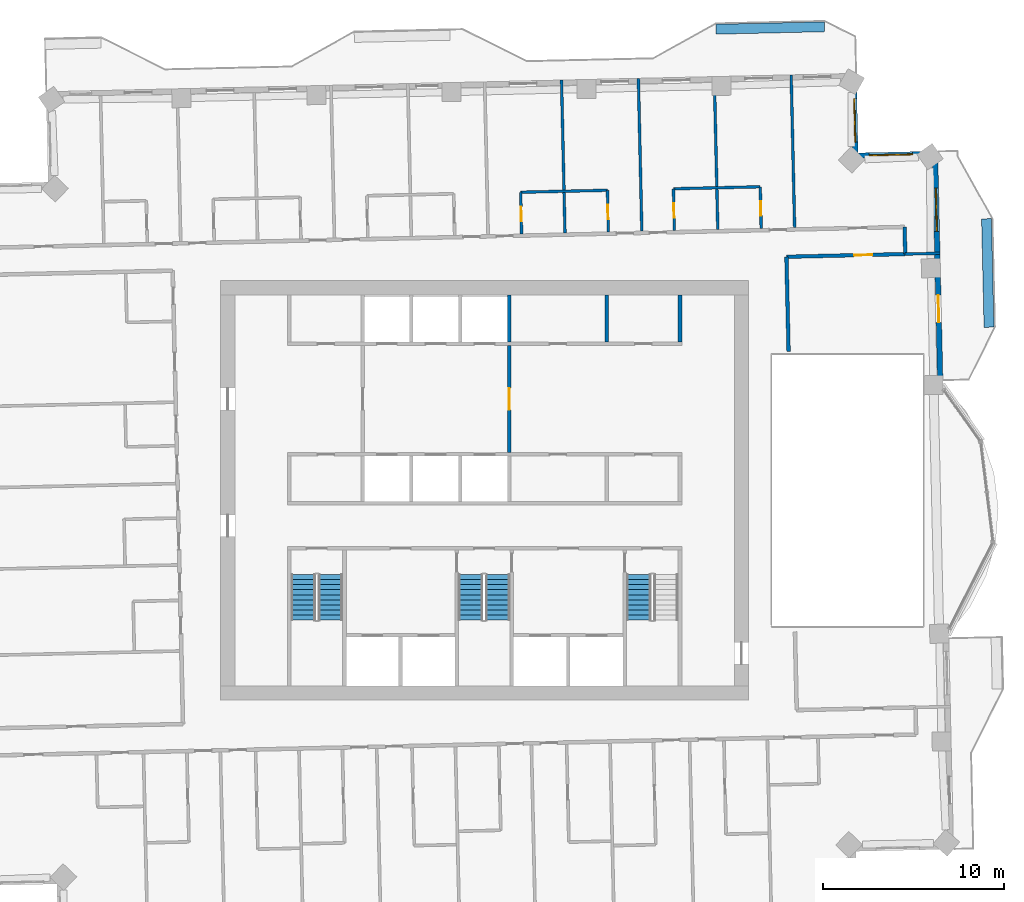
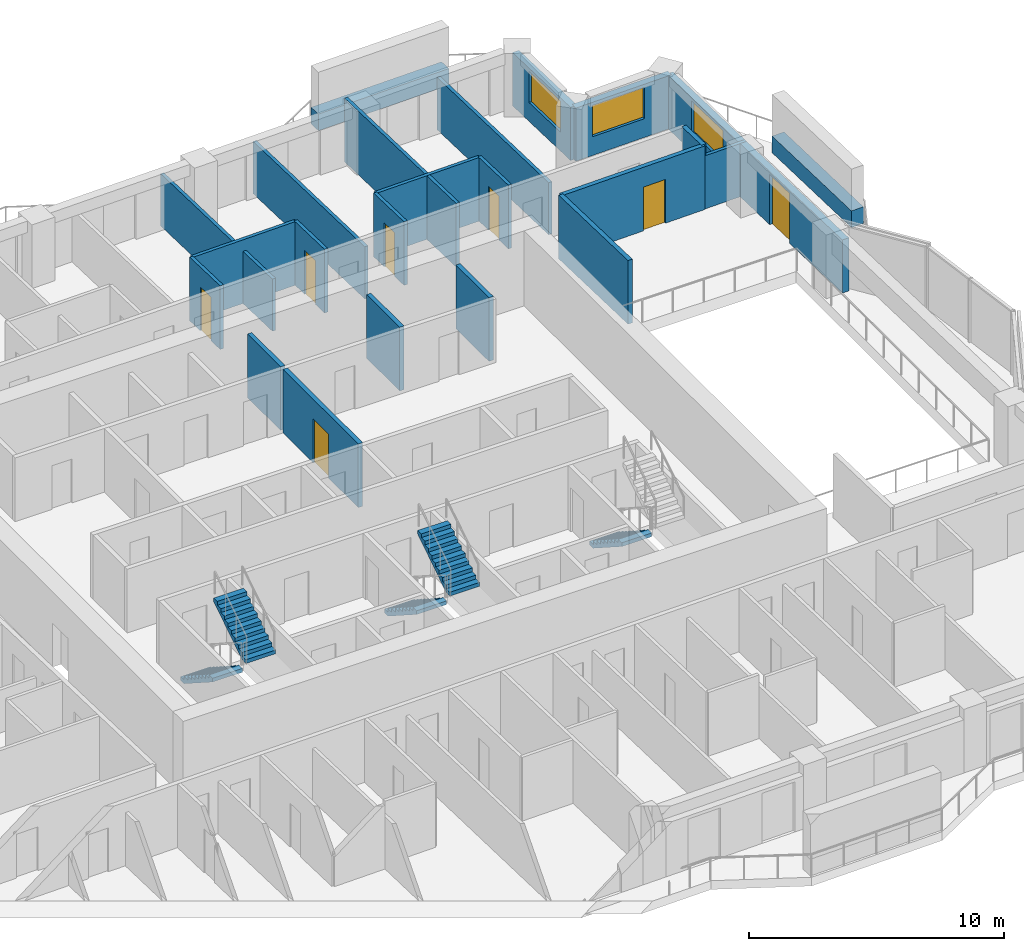
# One storey, part 12 of 17: 23 walls, 7 doors, 5 stair flights, 3 windows, 10 openings, 3 elements without a shape of their own.
"""IFC4 building model written with IfcOpenShell, lengths in metres."""

import ifcopenshell
import ifcopenshell.guid

model = None  # the IFC model being written
_history = None  # IfcOwnerHistory: only IFC2X3 demands one
_inside = {}  # id of a spatial element -> (the spatial element, [elements in it])
_under = {}  # id of a project, library or spatial element -> (it, [spatial elements below it])
_declared = {}  # id of a project -> (the project, [libraries it declares])
_typed = {}  # id of a type object -> (the type object, [elements of that type])
_made_of = {}  # id of a material, layer set ... -> (it, [elements and type objects made of it])


def new_model(schema):
    """Start an empty IFC model of exactly this schema.

    Asked for "IFC4X3", IfcOpenShell would pick the latest addendum, in which some entities
    have other attributes; the version numbers below select the first issue.
    IFC2X3 requires an IfcOwnerHistory on every rooted entity: one is made here for all.
    """
    global model, _history
    if schema == "IFC4X3":
        model = ifcopenshell.file(schema_version=(4, 3, 0, 0))
    else:
        model = ifcopenshell.file(schema=schema)
    _inside.clear()
    _under.clear()
    _declared.clear()
    _typed.clear()
    _made_of.clear()
    _history = None
    if model.schema == "IFC2X3":
        org = make("IfcOrganization", Name="unknown")
        user = make(
            "IfcPersonAndOrganization",
            ThePerson=make("IfcPerson", FamilyName="unknown"),
            TheOrganization=org,
        )
        app = make(
            "IfcApplication",
            ApplicationDeveloper=org,
            Version="unknown",
            ApplicationFullName="unknown",
            ApplicationIdentifier="unknown",
        )
        _history = make(
            "IfcOwnerHistory",
            OwningUser=user,
            OwningApplication=app,
            ChangeAction="ADDED",
            CreationDate=0,
        )
    return model


def make(cls, **values):
    """One entity of the class cls with the attributes given. An attribute that is None is left unset."""
    return model.create_entity(
        cls, **{name: value for name, value in values.items() if value is not None}
    )


def rooted(cls, **values):
    """An entity with a GlobalId (a new one), such as an element, a storey or a relation."""
    return make(cls, GlobalId=ifcopenshell.guid.new(), OwnerHistory=_history, **values)


def si_unit(unit_type, name, prefix=None):
    """IfcSIUnit, for example si_unit("LENGTHUNIT", "METRE", prefix="MILLI")."""
    return make("IfcSIUnit", UnitType=unit_type, Prefix=prefix, Name=name)


def assignment(units):
    """IfcUnitAssignment: the units of a project."""
    return None if units is None else make("IfcUnitAssignment", Units=units)


def point(xyz):
    """IfcCartesianPoint."""
    return None if xyz is None else make("IfcCartesianPoint", Coordinates=xyz)


def direction(xyz):
    """IfcDirection."""
    return None if xyz is None else make("IfcDirection", DirectionRatios=xyz)


def frame(location, z_axis=None, x_axis=None):
    """IfcAxis2Placement3D, a coordinate frame: its origin and axes. An axis left out is left unset."""
    return make(
        "IfcAxis2Placement3D",
        Location=point(location),
        Axis=direction(z_axis),
        RefDirection=direction(x_axis),
    )


def frame_2d(location, x_axis=None):
    """IfcAxis2Placement2D, a coordinate frame in the plane: its origin and x axis."""
    return make(
        "IfcAxis2Placement2D", Location=point(location), RefDirection=direction(x_axis)
    )


def origin():
    """The frame at (0, 0, 0) with its axes left unset."""
    return frame((0.0, 0.0, 0.0))


def place(relative_to, where):
    """IfcLocalPlacement: puts the frame where relative to a parent placement (None: the world)."""
    return make(
        "IfcLocalPlacement", PlacementRelTo=relative_to, RelativePlacement=where
    )


def context(
    kind, dimensions, precision=None, world=None, true_north=None, identifier=None
):
    """IfcGeometricRepresentationContext, for example the 3D "Model" context."""
    return make(
        "IfcGeometricRepresentationContext",
        ContextIdentifier=identifier,
        ContextType=kind,
        CoordinateSpaceDimension=dimensions,
        Precision=precision,
        WorldCoordinateSystem=world,
        TrueNorth=true_north,
    )


def subcontext(parent, identifier, kind, view, scale=None):
    """IfcGeometricRepresentationSubContext, for example "Body" below "Model"."""
    return make(
        "IfcGeometricRepresentationSubContext",
        ContextIdentifier=identifier,
        ContextType=kind,
        ParentContext=parent,
        TargetScale=scale,
        TargetView=view,
    )


def project(units=None, contexts=None):
    """IfcProject with its units and contexts."""
    return rooted(
        "IfcProject",
        Name="project",
        RepresentationContexts=contexts,
        UnitsInContext=assignment(units),
    )


def spatial(cls, under=None, at=None, **own):
    """A site, building, storey or space (cls), placed at a placement, below another one or the project."""
    s = rooted(cls, ObjectPlacement=at, **own)
    if under is not None:
        _under.setdefault(under.id(), (under, []))[1].append(s)
    return s


def polyline(points):
    """IfcPolyline through the points."""
    return make("IfcPolyline", Points=[point(p) for p in points])


def profile(cls, at=None, kind="AREA", **sizes):
    """A parametric profile (cls). Its sizes go by their IFC names, for example OverallWidth=200.0."""
    return make(cls, ProfileType=kind, Position=at, **sizes)


def rectangle(**sizes):
    """IfcRectangleProfileDef."""
    return profile("IfcRectangleProfileDef", **sizes)


def outline(outer, holes=None, kind="AREA"):
    """IfcArbitraryClosedProfileDef: a profile drawn as a closed curve; with holes, ...WithVoids."""
    if holes is None:
        return make("IfcArbitraryClosedProfileDef", ProfileType=kind, OuterCurve=outer)
    return make(
        "IfcArbitraryProfileDefWithVoids",
        ProfileType=kind,
        OuterCurve=outer,
        InnerCurves=holes,
    )


def extrude(swept, where, along, depth):
    """IfcExtrudedAreaSolid: the profile swept, set in the frame where, extruded along a direction by depth."""
    return make(
        "IfcExtrudedAreaSolid",
        SweptArea=swept,
        Position=where,
        ExtrudedDirection=direction(along),
        Depth=depth,
    )


def shape(context_of_items, identifier, shape_type, items):
    """IfcShapeRepresentation: the items that make up one representation, for example the "Body"."""
    return make(
        "IfcShapeRepresentation",
        ContextOfItems=context_of_items,
        RepresentationIdentifier=identifier,
        RepresentationType=shape_type,
        Items=items,
    )


def material(Name=None, Category=None):
    """IfcMaterial."""
    return make("IfcMaterial", Name=Name, Category=Category)


def layer(
    of_material, thickness, ventilated=None, Name=None, Category=None, Priority=None
):
    """IfcMaterialLayer: one layer of a wall or slab, of a material (None: an air gap)."""
    return make(
        "IfcMaterialLayer",
        Material=of_material,
        LayerThickness=thickness,
        IsVentilated=ventilated,
        Name=Name,
        Category=Category,
        Priority=Priority,
    )


def layer_set(layers, Name=None):
    """IfcMaterialLayerSet."""
    return make("IfcMaterialLayerSet", MaterialLayers=layers, LayerSetName=Name)


def made_of(thing, what):
    """Note that an element or type object is made of a material, layer set ...; save() writes the relation."""
    if what is not None:
        _made_of.setdefault(what.id(), (what, []))[1].append(thing)
    return thing


def type_object(cls, material=None, **own):
    """A type object (cls), such as IfcWallType, which elements share."""
    return made_of(rooted(cls, **own), material)


def element(
    cls,
    number,
    at=None,
    inside=None,
    cuts=None,
    type_object=None,
    material=None,
    context=None,
    identifier="Body",
    shape_type=None,
    held_by="IfcProductDefinitionShape",
    body=None,
    shapes=None,
    **own,
):
    """One element of the class cls, such as IfcWall. Its Tag is "e" and its number.

    at: its placement. inside: the storey or other place that contains it. cuts: it is an
    opening in that element (IfcRelVoidsElement). A single representation is given by context,
    identifier, shape_type and body (its items); several are given by shapes. held_by: the class
    of the entity that holds the representations. save() writes the other relations.
    """
    e = rooted(cls, Tag="e%d" % number, ObjectPlacement=at, **own)
    if body is not None:
        shapes = [shape(context, identifier, shape_type, body)]
    if shapes is not None:
        e.Representation = make(held_by, Representations=shapes)
    if inside is not None:
        _inside.setdefault(inside.id(), (inside, []))[1].append(e)
    if cuts is not None:
        rooted(
            "IfcRelVoidsElement", RelatingBuildingElement=cuts, RelatedOpeningElement=e
        )
    if type_object is not None:
        _typed.setdefault(type_object.id(), (type_object, []))[1].append(e)
    return made_of(e, material)


def fill(opening, filler):
    """IfcRelFillsElement: the door or window that sits in an opening."""
    return rooted(
        "IfcRelFillsElement",
        RelatingOpeningElement=opening,
        RelatedBuildingElement=filler,
    )


def aggregate(whole, parts):
    """IfcRelAggregates: a whole, such as a stair, and the parts it consists of."""
    return rooted("IfcRelAggregates", RelatingObject=whole, RelatedObjects=parts)


def save(model, path):
    """Write the relations noted so far, then the file.

    IfcRelAggregates (storeys below a building ...), IfcRelContainedInSpatialStructure (elements
    in a storey), IfcRelDefinesByType, IfcRelAssociatesMaterial and IfcRelDeclares: one each for
    every whole, place, type object, material and project.
    """
    for whole, parts in _under.values():
        aggregate(whole, parts)
    for where, things in _inside.values():
        rooted(
            "IfcRelContainedInSpatialStructure",
            RelatedElements=things,
            RelatingStructure=where,
        )
    for kind, things in _typed.values():
        rooted("IfcRelDefinesByType", RelatedObjects=things, RelatingType=kind)
    for what, things in _made_of.values():
        rooted("IfcRelAssociatesMaterial", RelatedObjects=things, RelatingMaterial=what)
    for by, libraries in _declared.values():
        rooted("IfcRelDeclares", RelatingContext=by, RelatedDefinitions=libraries)
    model.write(path)


model = new_model("IFC4")

# Units and contexts
model_context = context("Model", 3, precision=1e-05, world=origin(), true_north=direction((0.0, 1.0)))
body_context = subcontext(model_context, "Body", "Model", "MODEL_VIEW")
ifc_project = project(units=[si_unit("LENGTHUNIT", "METRE"), si_unit("AREAUNIT", "SQUARE_METRE"), si_unit("VOLUMEUNIT", "CUBIC_METRE"), si_unit("PLANEANGLEUNIT", "RADIAN"), si_unit("MASSUNIT", "GRAM", prefix="KILO")], contexts=[model_context])

# Site, building, storey
site_placement = place(None, origin())
site = spatial("IfcSite", under=ifc_project, at=site_placement, CompositionType="ELEMENT")
building_placement = place(site_placement, origin())
building = spatial("IfcBuilding", under=site, at=building_placement, Name="Mangrove Gate Tower", CompositionType="ELEMENT")
storey_placement = place(building_placement, frame((0.0, 0.0, 245.5)))
storey = spatial("IfcBuildingStorey", under=building, at=storey_placement, Name="L62", CompositionType="ELEMENT", Elevation=245.5)

# Wall, opening, door
ifc_material_1 = material(Name="Concrete C32/40", Category="concrete")
ifc_layer_1 = layer(ifc_material_1, 0.199951171875)
ifc_layer_set_1 = layer_set([ifc_layer_1], Name="Core lobby wall 200 C32/40")
wall_type_1 = type_object("IfcWallType", Name="Core lobby wall 200 C32/40", PredefinedType="STANDARD", material=ifc_layer_set_1)
wall_1_placement = place(storey_placement, frame((1.35009765625, 2.10009765625, 0.0), z_axis=(0.0, 0.0, 1.0), x_axis=(0.0, 1.0, 0.0)))
wall_1 = element("IfcWall", 1, at=wall_1_placement, inside=storey, type_object=wall_type_1, Name="WALL-L62-CORE-34", PredefinedType="STANDARD", context=body_context, shape_type="SweptSolid", body=[
    extrude(rectangle(XDim=5.89990234375, YDim=0.199951171875, at=frame_2d((2.949951171875, 0.0))), origin(), (0.0, 0.0, 1.0), 3.050048828125),
])
opening_1_placement = place(wall_1_placement, frame((2.35009765625, 0.0, 0.0)))
opening_1 = element("IfcOpeningElement", 2, at=opening_1_placement, cuts=wall_1, Name="Opening FL12", PredefinedType="OPENING", context=body_context, shape_type="SweptSolid", body=[
    extrude(rectangle(XDim=1.199951171875, YDim=2.10009765625, at=frame_2d((0.60009765625, 1.050048828125))), frame((0.0, 0.10986328125, 0.0), z_axis=(0.0, -1.0, 0.0), x_axis=(1.0, 0.0, 0.0)), (0.0, 0.0, 1.0), 0.219970703125),
])
ifc_material_2 = material(Name="Fire-rated steel door set", Category="steel")
door_type_1 = type_object("IfcDoorType", Name="Lobby door FD60 1200x2100", OperationType="SINGLE_SWING_LEFT", PredefinedType="DOOR", material=ifc_material_2)
door_1_placement = place(opening_1_placement, origin())
door_1 = element("IfcDoor", 3, at=door_1_placement, inside=storey, type_object=door_type_1, Name="Lobby door lift lobby partition", OperationType="SINGLE_SWING_LEFT", OverallHeight=2.10009765625, OverallWidth=1.199951171875, PredefinedType="DOOR", context=body_context, shape_type="SweptSolid", body=[
    extrude(rectangle(XDim=1.199951171875, YDim=2.10009765625, at=frame_2d((0.60009765625, 1.050048828125))), frame((0.0, 0.02490234375, 0.0), z_axis=(0.0, -1.0, 0.0), x_axis=(1.0, 0.0, 0.0)), (0.0, 0.0, 1.0), 0.050048828125),
])
fill(opening_1, door_1)

# Walls
ifc_material_3 = material(Name="Concrete C32/40", Category="concrete")
ifc_layer_2 = layer(ifc_material_3, 0.199951171875)
ifc_layer_set_2 = layer_set([ifc_layer_2], Name="Core room wall 200 C32/40")
wall_type_2 = type_object("IfcWallType", Name="Core room wall 200 C32/40", PredefinedType="STANDARD", material=ifc_layer_set_2)
for number, where, z_axis, x_axis, name in (
    (4, (6.75, 8.199951171875, 0.0), (0.0, 0.0, 1.0), (0.0, 1.0, 0.0), "WALL-L62-CORE-31"),
    (5, (10.800048828125, 8.199951171875, 0.0), (0.0, 0.0, 1.0), (0.0, 1.0, 0.0), "WALL-L62-CORE-32"),
):
    element("IfcWall", number, at=place(storey_placement, frame(where, z_axis=z_axis, x_axis=x_axis)), inside=storey, type_object=wall_type_2, Name=name, PredefinedType="STANDARD", context=body_context, shape_type="SweptSolid", body=[
        extrude(rectangle(XDim=2.60009765625, YDim=0.199951171875, at=frame_2d((1.300048828125, 0.0))), origin(), (0.0, 0.0, 1.0), 3.050048828125),
    ])
ifc_material_4 = material(Name="Concrete C60/75", Category="concrete")
ifc_layer_3 = layer(ifc_material_4, 0.199951171875)
ifc_layer_set_3 = layer_set([ifc_layer_3], Name="Core shaft wall 200 C60/75")
wall_type_3 = type_object("IfcWallType", Name="Core shaft wall 200 C60/75", PredefinedType="SHEAR", material=ifc_layer_set_3)
wall_2_placement = place(storey_placement, frame((1.35009765625, 8.199951171875, 0.0), z_axis=(0.0, 0.0, 1.0), x_axis=(0.0, 1.0, 0.0)))
element("IfcWall", 6, at=wall_2_placement, inside=storey, type_object=wall_type_3, Name="WALL-L62-CORE-30", PredefinedType="SHEAR", context=body_context, shape_type="SweptSolid", body=[
    extrude(rectangle(XDim=2.60009765625, YDim=0.199951171875, at=frame_2d((1.300048828125, 0.0))), origin(), (0.0, 0.0, 1.0), 3.050048828125),
])
ifc_material_5 = material(Name="Gypsum board on steel stud, EI 60", Category="steel")
ifc_layer_4 = layer(ifc_material_5, 0.199951171875)
ifc_layer_set_4 = layer_set([ifc_layer_4], Name="Corridor wall EI 60")
wall_type_4 = type_object("IfcWallType", Name="Corridor wall EI 60", PredefinedType="PARTITIONING", material=ifc_layer_set_4)
wall_3_placement = place(storey_placement, frame((16.802978515625, 7.675048828125, 0.0), z_axis=(0.0, 0.0, 1.0), x_axis=(-0.022667483124, 0.999743059595, 0.0)))
element("IfcWall", 7, at=wall_3_placement, inside=storey, type_object=wall_type_4, Name="WALL-L62-049", PredefinedType="PARTITIONING", context=body_context, shape_type="SweptSolid", body=[
    extrude(rectangle(XDim=5.245361328125, YDim=0.199951171875, at=frame_2d((2.62255859375, 0.0))), origin(), (0.0, 0.0, 1.0), 3.050048828125),
])

# Wall, opening, door
wall_4_placement = place(storey_placement, frame((16.678955078125, 12.91796875, 0.0), z_axis=(0.0, 0.0, 1.0), x_axis=(0.999739125025, 0.022840356696, 0.0)))
wall_4 = element("IfcWall", 8, at=wall_4_placement, inside=storey, type_object=wall_type_4, Name="WALL-L62-055", PredefinedType="PARTITIONING", context=body_context, shape_type="SweptSolid", body=[
    extrude(rectangle(XDim=6.57373046875, YDim=0.199951171875, at=frame_2d((3.286865234375, 0.0))), origin(), (0.0, 0.0, 1.0), 3.050048828125),
])
opening_2_placement = place(wall_4_placement, frame((3.75, 0.0, 0.0)))
opening_2 = element("IfcOpeningElement", 9, at=opening_2_placement, cuts=wall_4, Name="Opening AD", PredefinedType="OPENING", context=body_context, shape_type="SweptSolid", body=[
    extrude(rectangle(XDim=1.0, YDim=2.10009765625, at=frame_2d((0.5, 1.050048828125))), frame((0.0, 0.10986328125, 0.0), z_axis=(0.0, -1.0, 0.0), x_axis=(1.0, 0.0, 0.0)), (0.0, 0.0, 1.0), 0.219970703125),
])
ifc_material_6 = material(Name="Timber door leaf", Category="wood")
door_type_2 = type_object("IfcDoorType", Name="Amenity door 1000", OperationType="SINGLE_SWING_LEFT", PredefinedType="DOOR", material=ifc_material_6)
door_2_placement = place(opening_2_placement, origin())
door_2 = element("IfcDoor", 10, at=door_2_placement, inside=storey, type_object=door_type_2, Name="DOOR-L62-GAM-c3a", OperationType="SINGLE_SWING_RIGHT", OverallHeight=2.10009765625, OverallWidth=1.0, PredefinedType="DOOR", context=body_context, shape_type="SweptSolid", body=[
    extrude(rectangle(XDim=1.0, YDim=2.10009765625, at=frame_2d((0.5, 1.050048828125))), frame((0.0, 0.02490234375, 0.0), z_axis=(0.0, -1.0, 0.0), x_axis=(1.0, 0.0, 0.0)), (0.0, 0.0, 1.0), 0.050048828125),
])
fill(opening_2, door_2)

# Wall
wall_5_placement = place(storey_placement, frame((23.251953125, 13.068115234375, 0.0), z_axis=(0.0, 0.0, 1.0), x_axis=(-0.022636322434, 0.999743765625, 0.0)))
element("IfcWall", 11, at=wall_5_placement, inside=storey, type_object=wall_type_4, Name="WALL-L62-057", PredefinedType="PARTITIONING", context=body_context, shape_type="SweptSolid", body=[
    extrude(rectangle(XDim=1.499267578125, YDim=0.199951171875, at=frame_2d((0.74951171875, 0.0))), origin(), (0.0, 0.0, 1.0), 3.050048828125),
])

# Wall, openings, door, window
ifc_material_7 = material(Name="Limestone", Category="masonry")
ifc_layer_5 = layer(ifc_material_7, 0.0400390625, Name="Limestone cladding")
ifc_material_8 = material(Name="Ventilated air gap")
ifc_layer_6 = layer(ifc_material_8, 0.0400390625, Name="Ventilated cavity")
ifc_material_9 = material(Name="Mineral wool insulation")
ifc_layer_7 = layer(ifc_material_9, 0.06005859375, Name="Insulation")
ifc_material_10 = material(Name="Breather membrane")
ifc_layer_8 = layer(ifc_material_10, 0.001953125, Name="Breather membrane")
ifc_material_11 = material(Name="Concrete C20/25 blockwork", Category="masonry")
ifc_layer_9 = layer(ifc_material_11, 0.14990234375, Name="Blockwork backing wall")
ifc_material_12 = material(Name="Gypsum plaster")
ifc_layer_10 = layer(ifc_material_12, 0.008056640625, Name="Internal plaster")
ifc_layer_set_5 = layer_set([ifc_layer_5, ifc_layer_6, ifc_layer_7, ifc_layer_8, ifc_layer_9, ifc_layer_10], Name="External wall 300 limestone cladding")
wall_type_5 = type_object("IfcWallType", Name="External wall 300 limestone cladding", PredefinedType="SOLIDWALL", material=ifc_layer_set_5)
wall_6_placement = place(storey_placement, frame((25.202880859375, 5.31005859375, 0.0), z_axis=(0.0, 0.0, 1.0), x_axis=(-0.022708061432, 0.999742138727, 0.0)))
wall_6 = element("IfcWall", 12, at=wall_6_placement, inside=storey, type_object=wall_type_5, Name="WALL-L62-E2s1", PredefinedType="SOLIDWALL", context=body_context, shape_type="SweptSolid", body=[
    extrude(rectangle(XDim=13.29931640625, YDim=0.300048828125, at=frame_2d((6.649658203125, 0.0))), origin(), (0.0, 0.0, 1.0), 2.550048828125),
])
opening_3_placement = place(wall_6_placement, frame((3.986083984375, 0.0, 0.0)))
opening_3 = element("IfcOpeningElement", 13, at=opening_3_placement, cuts=wall_6, Name="Opening BD1", PredefinedType="OPENING", context=body_context, shape_type="SweptSolid", body=[
    extrude(rectangle(XDim=1.5, YDim=2.39990234375, at=frame_2d((0.75, 1.199951171875))), frame((0.0, 0.159912109375, 0.0), z_axis=(0.0, -1.0, 0.0), x_axis=(1.0, 0.0, 0.0)), (0.0, 0.0, 1.0), 0.320068359375),
])
opening_4_placement = place(wall_6_placement, frame((9.012939453125, 0.0, 0.89990234375)))
opening_4 = element("IfcOpeningElement", 14, at=opening_4_placement, cuts=wall_6, Name="Opening W2", PredefinedType="OPENING", context=body_context, shape_type="SweptSolid", body=[
    extrude(rectangle(XDim=2.39990234375, YDim=1.5, at=frame_2d((1.199951171875, 0.75))), frame((0.0, 0.159912109375, 0.0), z_axis=(0.0, -1.0, 0.0), x_axis=(1.0, 0.0, 0.0)), (0.0, 0.0, 1.0), 0.320068359375),
])
ifc_material_13 = material(Name="Aluminium frame with laminated clear glass", Category="aluminium")
door_type_3 = type_object("IfcDoorType", Name="Balcony sliding door 1500x2400", OperationType="SLIDING_TO_LEFT", PredefinedType="DOOR", material=ifc_material_13)
door_3_placement = place(opening_3_placement, origin())
door_3 = element("IfcDoor", 15, at=door_3_placement, inside=storey, type_object=door_type_3, Name="DOOR-L62-E2-1", OperationType="SLIDING_TO_LEFT", OverallHeight=2.39990234375, OverallWidth=1.5, PredefinedType="DOOR", context=body_context, shape_type="SweptSolid", body=[
    extrude(rectangle(XDim=1.5, YDim=2.39990234375, at=frame_2d((0.75, 1.199951171875))), frame((0.0, 0.02490234375, 0.0), z_axis=(0.0, -1.0, 0.0), x_axis=(1.0, 0.0, 0.0)), (0.0, 0.0, 1.0), 0.050048828125),
])
fill(opening_3, door_3)
ifc_material_14 = material(Name="Aluminium frame with double-glazed low-e glass", Category="aluminium")
window_type = type_object("IfcWindowType", Name="Corner room window 2400x1500", PartitioningType="DOUBLE_PANEL_VERTICAL", PredefinedType="WINDOW", material=ifc_material_14)
window_1_placement = place(opening_4_placement, origin())
window_1 = element("IfcWindow", 16, at=window_1_placement, inside=storey, type_object=window_type, Name="WIN-L62-E2-2", OverallHeight=1.5, OverallWidth=2.39990234375, PartitioningType="DOUBLE_PANEL_VERTICAL", PredefinedType="WINDOW", context=body_context, shape_type="SweptSolid", body=[
    extrude(rectangle(XDim=2.39990234375, YDim=1.5, at=frame_2d((1.199951171875, 0.75))), frame((0.0, 0.030029296875, 0.0), z_axis=(0.0, -1.0, 0.0), x_axis=(1.0, 0.0, 0.0)), (0.0, 0.0, 1.0), 0.06005859375),
])
fill(opening_4, window_1)

# Wall, opening, window
wall_7_placement = place(storey_placement, frame((24.90087890625, 18.60595703125, 0.0), z_axis=(0.0, 0.0, 1.0), x_axis=(-0.999747476176, -0.022471846368, 0.0)))
wall_7 = element("IfcWall", 17, at=wall_7_placement, inside=storey, type_object=wall_type_5, Name="WALL-L62-N3", PredefinedType="SOLIDWALL", context=body_context, shape_type="SweptSolid", body=[
    extrude(rectangle(XDim=4.400146484375, YDim=0.300048828125, at=frame_2d((2.2001953125, 0.0))), origin(), (0.0, 0.0, 1.0), 2.550048828125),
])
opening_5_placement = place(wall_7_placement, frame((1.24609375, 0.0, 0.89990234375)))
opening_5 = element("IfcOpeningElement", 18, at=opening_5_placement, cuts=wall_7, Name="Opening W2", PredefinedType="OPENING", context=body_context, shape_type="SweptSolid", body=[
    extrude(rectangle(XDim=2.39990234375, YDim=1.5, at=frame_2d((1.199951171875, 0.75))), frame((0.0, 0.159912109375, 0.0), z_axis=(0.0, -1.0, 0.0), x_axis=(1.0, 0.0, 0.0)), (0.0, 0.0, 1.0), 0.320068359375),
])
window_2_placement = place(opening_5_placement, origin())
window_2 = element("IfcWindow", 19, at=window_2_placement, inside=storey, type_object=window_type, Name="WIN-L62-N3-1", OverallHeight=1.5, OverallWidth=2.39990234375, PartitioningType="DOUBLE_PANEL_VERTICAL", PredefinedType="WINDOW", context=body_context, shape_type="SweptSolid", body=[
    extrude(rectangle(XDim=2.39990234375, YDim=1.5, at=frame_2d((1.199951171875, 0.75))), frame((0.0, 0.030029296875, 0.0), z_axis=(0.0, -1.0, 0.0), x_axis=(1.0, 0.0, 0.0)), (0.0, 0.0, 1.0), 0.06005859375),
])
fill(opening_5, window_2)

wall_8_placement = place(storey_placement, frame((20.501953125, 18.507080078125, 0.0), z_axis=(0.0, 0.0, 1.0), x_axis=(-0.02247683371, 0.999747364061, 0.0)))
wall_8 = element("IfcWall", 20, at=wall_8_placement, inside=storey, type_object=wall_type_5, Name="WALL-L62-E4", PredefinedType="SOLIDWALL", context=body_context, shape_type="SweptSolid", body=[
    extrude(rectangle(XDim=4.399169921875, YDim=0.300048828125, at=frame_2d((2.19970703125, 0.0))), origin(), (0.0, 0.0, 1.0), 2.550048828125),
])
opening_6_placement = place(wall_8_placement, frame((0.75, 0.0, 0.89990234375)))
opening_6 = element("IfcOpeningElement", 21, at=opening_6_placement, cuts=wall_8, Name="Opening W2", PredefinedType="OPENING", context=body_context, shape_type="SweptSolid", body=[
    extrude(rectangle(XDim=2.39990234375, YDim=1.5, at=frame_2d((1.199951171875, 0.75))), frame((0.0, 0.159912109375, 0.0), z_axis=(0.0, -1.0, 0.0), x_axis=(1.0, 0.0, 0.0)), (0.0, 0.0, 1.0), 0.320068359375),
])
window_3_placement = place(opening_6_placement, origin())
window_3 = element("IfcWindow", 22, at=window_3_placement, inside=storey, type_object=window_type, Name="WIN-L62-E4-1", OverallHeight=1.5, OverallWidth=2.39990234375, PartitioningType="DOUBLE_PANEL_VERTICAL", PredefinedType="WINDOW", context=body_context, shape_type="SweptSolid", body=[
    extrude(rectangle(XDim=2.39990234375, YDim=1.5, at=frame_2d((1.199951171875, 0.75))), frame((0.0, 0.030029296875, 0.0), z_axis=(0.0, -1.0, 0.0), x_axis=(1.0, 0.0, 0.0)), (0.0, 0.0, 1.0), 0.06005859375),
])
fill(opening_6, window_3)

# Wall
ifc_material_15 = material(Name="Gypsum board on steel stud, EI 60", Category="steel")
ifc_layer_11 = layer(ifc_material_15, 0.14990234375)
ifc_layer_set_6 = layer_set([ifc_layer_11], Name="Party wall 150 EI 60")
wall_type_6 = type_object("IfcWallType", Name="Party wall 150 EI 60", PredefinedType="PARTITIONING", material=ifc_layer_set_6)
wall_9_placement = place(storey_placement, frame((23.2509765625, 13.068115234375, 0.0), z_axis=(0.0, 0.0, 1.0), x_axis=(0.999750982596, 0.022315304114, 0.0)))
element("IfcWall", 23, at=wall_9_placement, inside=storey, type_object=wall_type_6, Name="WALL-L62-056", PredefinedType="PARTITIONING", context=body_context, shape_type="SweptSolid", body=[
    extrude(rectangle(XDim=1.925537109375, YDim=0.14990234375, at=frame_2d((0.962890625, 0.0))), origin(), (0.0, 0.0, 1.0), 2.550048828125),
])

# Wall, opening, door
wall_10_placement = place(storey_placement, frame((2.0419921875, 14.18701171875, 0.0), z_axis=(0.0, 0.0, 1.0), x_axis=(-0.023037316498, 0.999734605807, 0.0)))
wall_10 = element("IfcWall", 24, at=wall_10_placement, inside=storey, type_object=wall_type_6, Name="WALL-L62-070", PredefinedType="PARTITIONING", context=body_context, shape_type="SweptSolid", body=[
    extrude(rectangle(XDim=2.299560546875, YDim=0.14990234375, at=frame_2d((1.14990234375, 0.0))), origin(), (0.0, 0.0, 1.0), 3.050048828125),
])
opening_7_placement = place(wall_10_placement, frame((0.699951171875, 0.0, 0.0)))
opening_7 = element("IfcOpeningElement", 25, at=opening_7_placement, cuts=wall_10, Name="Opening ED", PredefinedType="OPENING", context=body_context, shape_type="SweptSolid", body=[
    extrude(rectangle(XDim=0.800048828125, YDim=2.10009765625, at=frame_2d((0.39990234375, 1.050048828125))), frame((0.0, 0.0849609375, 0.0), z_axis=(0.0, -1.0, 0.0), x_axis=(1.0, 0.0, 0.0)), (0.0, 0.0, 1.0), 0.169921875),
])
ifc_material_16 = material(Name="Timber door leaf", Category="wood")
door_type_4 = type_object("IfcDoorType", Name="En-suite door 800", OperationType="SINGLE_SWING_LEFT", PredefinedType="DOOR", material=ifc_material_16)
door_4_placement = place(opening_7_placement, origin())
door_4 = element("IfcDoor", 26, at=door_4_placement, inside=storey, type_object=door_type_4, Name="DOOR-L62-ENS-c412", OperationType="SINGLE_SWING_RIGHT", OverallHeight=2.10009765625, OverallWidth=0.800048828125, PredefinedType="DOOR", context=body_context, shape_type="SweptSolid", body=[
    extrude(rectangle(XDim=0.800048828125, YDim=2.10009765625, at=frame_2d((0.39990234375, 1.050048828125))), frame((0.0, 0.02490234375, 0.0), z_axis=(0.0, -1.0, 0.0), x_axis=(1.0, 0.0, 0.0)), (0.0, 0.0, 1.0), 0.050048828125),
])
fill(opening_7, door_4)

# Wall
wall_11_placement = place(storey_placement, frame((4.44091796875, 14.240966796875, 0.0), z_axis=(0.0, 0.0, 1.0), x_axis=(-0.022708935798, 0.999742118866, 0.0)))
element("IfcWall", 27, at=wall_11_placement, inside=storey, type_object=wall_type_6, Name="WALL-L62-071", PredefinedType="PARTITIONING", context=body_context, shape_type="SweptSolid", body=[
    extrude(rectangle(XDim=8.4501953125, YDim=0.14990234375, at=frame_2d((4.22509765625, 0.0))), origin(), (0.0, 0.0, 1.0), 2.5),
])

# Wall, opening, door
wall_12_placement = place(storey_placement, frame((6.840087890625, 14.2958984375, 0.0), z_axis=(0.0, 0.0, 1.0), x_axis=(-0.022612884682, 0.999744296031, 0.0)))
wall_12 = element("IfcWall", 28, at=wall_12_placement, inside=storey, type_object=wall_type_6, Name="WALL-L62-072", PredefinedType="PARTITIONING", context=body_context, shape_type="SweptSolid", body=[
    extrude(rectangle(XDim=2.299560546875, YDim=0.14990234375, at=frame_2d((1.14990234375, 0.0))), origin(), (0.0, 0.0, 1.0), 3.050048828125),
])
opening_8_placement = place(wall_12_placement, frame((0.699951171875, 0.0, 0.0)))
opening_8 = element("IfcOpeningElement", 29, at=opening_8_placement, cuts=wall_12, Name="Opening ED", PredefinedType="OPENING", context=body_context, shape_type="SweptSolid", body=[
    extrude(rectangle(XDim=0.800048828125, YDim=2.10009765625, at=frame_2d((0.39990234375, 1.050048828125))), frame((0.0, 0.0849609375, 0.0), z_axis=(0.0, -1.0, 0.0), x_axis=(1.0, 0.0, 0.0)), (0.0, 0.0, 1.0), 0.169921875),
])
door_5_placement = place(opening_8_placement, origin())
door_5 = element("IfcDoor", 30, at=door_5_placement, inside=storey, type_object=door_type_4, Name="DOOR-L62-ENS-c311", OperationType="SINGLE_SWING_LEFT", OverallHeight=2.10009765625, OverallWidth=0.800048828125, PredefinedType="DOOR", context=body_context, shape_type="SweptSolid", body=[
    extrude(rectangle(XDim=0.800048828125, YDim=2.10009765625, at=frame_2d((0.39990234375, 1.050048828125))), frame((0.0, 0.02490234375, 0.0), z_axis=(0.0, -1.0, 0.0), x_axis=(1.0, 0.0, 0.0)), (0.0, 0.0, 1.0), 0.050048828125),
])
fill(opening_8, door_5)

# Wall
wall_13_placement = place(storey_placement, frame((8.68994140625, 14.337890625, 0.0), z_axis=(0.0, 0.0, 1.0), x_axis=(-0.022711559831, 0.999742059258, 0.0)))
element("IfcWall", 31, at=wall_13_placement, inside=storey, type_object=wall_type_6, Name="WALL-L62-073", PredefinedType="PARTITIONING", context=body_context, shape_type="SweptSolid", body=[
    extrude(rectangle(XDim=8.44921875, YDim=0.14990234375, at=frame_2d((4.224609375, 0.0))), origin(), (0.0, 0.0, 1.0), 2.5),
])

# Wall, opening, door
wall_14_placement = place(storey_placement, frame((10.489013671875, 14.3779296875, 0.0), z_axis=(0.0, 0.0, 1.0), x_axis=(-0.022603288534, 0.999744513037, 0.0)))
wall_14 = element("IfcWall", 32, at=wall_14_placement, inside=storey, type_object=wall_type_6, Name="WALL-L62-074", PredefinedType="PARTITIONING", context=body_context, shape_type="SweptSolid", body=[
    extrude(rectangle(XDim=2.300537109375, YDim=0.14990234375, at=frame_2d((1.150390625, 0.0))), origin(), (0.0, 0.0, 1.0), 3.050048828125),
])
opening_9_placement = place(wall_14_placement, frame((0.699951171875, 0.0, 0.0)))
opening_9 = element("IfcOpeningElement", 33, at=opening_9_placement, cuts=wall_14, Name="Opening ED", PredefinedType="OPENING", context=body_context, shape_type="SweptSolid", body=[
    extrude(rectangle(XDim=0.800048828125, YDim=2.10009765625, at=frame_2d((0.39990234375, 1.050048828125))), frame((0.0, 0.0849609375, 0.0), z_axis=(0.0, -1.0, 0.0), x_axis=(1.0, 0.0, 0.0)), (0.0, 0.0, 1.0), 0.169921875),
])
door_6_placement = place(opening_9_placement, origin())
door_6 = element("IfcDoor", 34, at=door_6_placement, inside=storey, type_object=door_type_4, Name="DOOR-L62-ENS-c310", OperationType="SINGLE_SWING_RIGHT", OverallHeight=2.10009765625, OverallWidth=0.800048828125, PredefinedType="DOOR", context=body_context, shape_type="SweptSolid", body=[
    extrude(rectangle(XDim=0.800048828125, YDim=2.10009765625, at=frame_2d((0.39990234375, 1.050048828125))), frame((0.0, 0.02490234375, 0.0), z_axis=(0.0, -1.0, 0.0), x_axis=(1.0, 0.0, 0.0)), (0.0, 0.0, 1.0), 0.050048828125),
])
fill(opening_9, door_6)

# Wall
wall_15_placement = place(storey_placement, frame((12.888916015625, 14.43310546875, 0.0), z_axis=(0.0, 0.0, 1.0), x_axis=(-0.022708935798, 0.999742118866, 0.0)))
element("IfcWall", 35, at=wall_15_placement, inside=storey, type_object=wall_type_6, Name="WALL-L62-075", PredefinedType="PARTITIONING", context=body_context, shape_type="SweptSolid", body=[
    extrude(rectangle(XDim=8.4501953125, YDim=0.14990234375, at=frame_2d((4.22509765625, 0.0))), origin(), (0.0, 0.0, 1.0), 3.050048828125),
])

# Wall, opening, door
wall_16_placement = place(storey_placement, frame((15.2880859375, 14.487060546875, 0.0), z_axis=(0.0, 0.0, 1.0), x_axis=(-0.022603288534, 0.999744513037, 0.0)))
wall_16 = element("IfcWall", 36, at=wall_16_placement, inside=storey, type_object=wall_type_6, Name="WALL-L62-076", PredefinedType="PARTITIONING", context=body_context, shape_type="SweptSolid", body=[
    extrude(rectangle(XDim=2.300537109375, YDim=0.14990234375, at=frame_2d((1.150390625, 0.0))), origin(), (0.0, 0.0, 1.0), 3.050048828125),
])
opening_10_placement = place(wall_16_placement, frame((0.699951171875, 0.0, 0.0)))
opening_10 = element("IfcOpeningElement", 37, at=opening_10_placement, cuts=wall_16, Name="Opening ED", PredefinedType="OPENING", context=body_context, shape_type="SweptSolid", body=[
    extrude(rectangle(XDim=0.800048828125, YDim=2.10009765625, at=frame_2d((0.39990234375, 1.050048828125))), frame((0.0, 0.0849609375, 0.0), z_axis=(0.0, -1.0, 0.0), x_axis=(1.0, 0.0, 0.0)), (0.0, 0.0, 1.0), 0.169921875),
])
door_7_placement = place(opening_10_placement, origin())
door_7 = element("IfcDoor", 38, at=door_7_placement, inside=storey, type_object=door_type_4, Name="DOOR-L62-ENS-c309", OperationType="SINGLE_SWING_LEFT", OverallHeight=2.10009765625, OverallWidth=0.800048828125, PredefinedType="DOOR", context=body_context, shape_type="SweptSolid", body=[
    extrude(rectangle(XDim=0.800048828125, YDim=2.10009765625, at=frame_2d((0.39990234375, 1.050048828125))), frame((0.0, 0.02490234375, 0.0), z_axis=(0.0, -1.0, 0.0), x_axis=(1.0, 0.0, 0.0)), (0.0, 0.0, 1.0), 0.050048828125),
])
fill(opening_10, door_7)

# Walls
wall_17_placement = place(storey_placement, frame((17.137939453125, 14.529052734375, 0.0), z_axis=(0.0, 0.0, 1.0), x_axis=(-0.022708935798, 0.999742118866, 0.0)))
element("IfcWall", 39, at=wall_17_placement, inside=storey, type_object=wall_type_6, Name="WALL-L62-077", PredefinedType="PARTITIONING", context=body_context, shape_type="SweptSolid", body=[
    extrude(rectangle(XDim=8.4501953125, YDim=0.14990234375, at=frame_2d((4.22509765625, 0.0))), origin(), (0.0, 0.0, 1.0), 2.5),
])
for number, where, z_axis, x_axis, name in (
    (40, (1.985107421875, 16.486083984375, 0.0), (0.0, 0.0, 1.0), (0.999742675121, 0.022684433919, 0.0), "WALL-L62-081"),
    (41, (10.43310546875, 16.677978515625, 0.0), (0.0, 0.0, 1.0), (0.999741520352, 0.022735269617, 0.0), "WALL-L62-082"),
):
    element("IfcWall", number, at=place(storey_placement, frame(where, z_axis=z_axis, x_axis=x_axis)), inside=storey, type_object=wall_type_6, Name=name, PredefinedType="PARTITIONING", context=body_context, shape_type="SweptSolid", body=[
        extrude(rectangle(XDim=4.800048828125, YDim=0.14990234375, at=frame_2d((2.39990234375, 0.0))), origin(), (0.0, 0.0, 1.0), 3.050048828125),
    ])
ifc_material_17 = material(Name="Concrete C32/40", Category="concrete")
ifc_layer_12 = layer(ifc_material_17, 0.199951171875, Name="Planter trough wall")
ifc_material_18 = material(Name="Bituminous waterproofing membrane")
ifc_layer_13 = layer(ifc_material_18, 0.0048828125, Name="Waterproofing")
ifc_material_19 = material(Name="Drainage board and gravel")
ifc_layer_14 = layer(ifc_material_19, 0.044921875, Name="Drainage layer")
ifc_material_20 = material(Name="Planting soil")
ifc_layer_15 = layer(ifc_material_20, 0.300048828125, Name="Growing medium")
ifc_layer_set_7 = layer_set([ifc_layer_12, ifc_layer_13, ifc_layer_14, ifc_layer_15], Name="Planter wall 550 C32/40")
wall_type_7 = type_object("IfcWallType", Name="Planter wall 550 C32/40", PredefinedType="USERDEFINED", material=ifc_layer_set_7)
wall_18_placement = place(storey_placement, frame((27.884033203125, 9.02197265625, 0.0), z_axis=(0.0, 0.0, 1.0), x_axis=(-0.022665943652, 0.999743094499, 0.0)))
element("IfcWall", 42, at=wall_18_placement, inside=storey, type_object=wall_type_7, Name="PLANTER L62 E1.1", ObjectType="PLANTER", PredefinedType="USERDEFINED", context=body_context, shape_type="SweptSolid", body=[
    extrude(rectangle(XDim=5.99951171875, YDim=0.550048828125, at=frame_2d((2.999755859375, 0.0))), origin(), (0.0, 0.0, 1.0), 0.800048828125),
])
wall_19_placement = place(storey_placement, frame((12.7880859375, 25.498046875, 0.0), z_axis=(0.0, 0.0, 1.0), x_axis=(0.999739371644, 0.02282955947, 0.0)))
element("IfcWall", 43, at=wall_19_placement, inside=storey, type_object=wall_type_7, Name="PLANTER L62 N0.1", ObjectType="PLANTER", PredefinedType="USERDEFINED", context=body_context, shape_type="SweptSolid", body=[
    extrude(rectangle(XDim=5.999267578125, YDim=0.550048828125, at=frame_2d((2.99951171875, 0.0))), origin(), (0.0, 0.0, 1.0), 0.800048828125),
])

# Stair, stair flights
ifc_material_21 = material(Name="Concrete C40/50", Category="concrete")
stair_type = type_object("IfcStairType", Name="Core stair 1350", PredefinedType="HALF_TURN_STAIR", material=ifc_material_21)
stair_1_placement = place(storey_placement, origin())
stair_1 = element("IfcStair", 44, at=stair_1_placement, inside=storey, type_object=stair_type, Name="L62 Stair 1", PredefinedType="HALF_TURN_STAIR")
ifc_material_22 = material(Name="Concrete C40/50", Category="concrete")
stair_flight_type = type_object("IfcStairFlightType", Name="Core stair flight 1350", PredefinedType="STRAIGHT", material=ifc_material_22)
stair_flight_1_placement = place(storey_placement, frame((-10.02490234375, -4.64990234375, 0.0), z_axis=(0.0, 0.0, 1.0), x_axis=(0.0, -1.0, 0.0)))
stair_flight_1 = element("IfcStairFlight", 45, at=stair_flight_1_placement, type_object=stair_flight_type, Name="ST1 flight 1", NumberOfRisers=10, NumberOfTreads=9, PredefinedType="STRAIGHT", RiserHeight=0.18, TreadLength=0.28, context=body_context, shape_type="SweptSolid", body=[
    extrude(outline(polyline([(0.0, 0.0), (0.0, 0.179931640625), (0.280029296875, 0.179931640625), (0.280029296875, 0.360107421875), (0.56005859375, 0.360107421875), (0.56005859375, 0.5400390625), (0.840087890625, 0.5400390625), (0.840087890625, 0.719970703125), (1.1201171875, 0.719970703125), (1.1201171875, 0.89990234375), (1.39990234375, 0.89990234375), (1.39990234375, 1.080078125), (1.679931640625, 1.080078125), (1.679931640625, 1.260009765625), (1.9599609375, 1.260009765625), (1.9599609375, 1.43994140625), (2.239990234375, 1.43994140625), (2.239990234375, 1.6201171875), (2.52001953125, 1.6201171875), (2.52001953125, 1.800048828125), (2.52001953125, 1.44189453125), (0.277099609375, 0.0), (0.0, 0.0)])), frame((0.0, 0.675048828125, 0.0), z_axis=(0.0, -1.0, 0.0), x_axis=(1.0, 0.0, 0.0)), (0.0, 0.0, 1.0), 1.35009765625),
])
stair_flight_2_placement = place(storey_placement, frame((-8.52490234375, -7.169921875, 1.800048828125), z_axis=(0.0, 0.0, 1.0), x_axis=(0.0, 1.0, 0.0)))
stair_flight_2 = element("IfcStairFlight", 46, at=stair_flight_2_placement, type_object=stair_flight_type, Name="ST1 flight 2", NumberOfRisers=10, NumberOfTreads=9, PredefinedType="STRAIGHT", RiserHeight=0.18, TreadLength=0.28, context=body_context, shape_type="SweptSolid", body=[
    extrude(outline(polyline([(0.0, 0.0), (0.0, 0.179931640625), (0.280029296875, 0.179931640625), (0.280029296875, 0.360107421875), (0.56005859375, 0.360107421875), (0.56005859375, 0.5400390625), (0.840087890625, 0.5400390625), (0.840087890625, 0.719970703125), (1.1201171875, 0.719970703125), (1.1201171875, 0.89990234375), (1.39990234375, 0.89990234375), (1.39990234375, 1.080078125), (1.679931640625, 1.080078125), (1.679931640625, 1.260009765625), (1.9599609375, 1.260009765625), (1.9599609375, 1.43994140625), (2.239990234375, 1.43994140625), (2.239990234375, 1.6201171875), (2.52001953125, 1.6201171875), (2.52001953125, 1.800048828125), (2.52001953125, 1.44189453125), (0.277099609375, 0.0), (0.0, 0.0)])), frame((0.0, 0.675048828125, 0.0), z_axis=(0.0, -1.0, 0.0), x_axis=(1.0, 0.0, 0.0)), (0.0, 0.0, 1.0), 1.35009765625),
])
aggregate(stair_1, [stair_flight_1, stair_flight_2])

stair_2_placement = place(storey_placement, origin())
stair_2 = element("IfcStair", 47, at=stair_2_placement, inside=storey, type_object=stair_type, Name="L62 Stair 2", PredefinedType="HALF_TURN_STAIR")
stair_flight_3_placement = place(storey_placement, frame((-0.77490234375, -4.64990234375, 0.0), z_axis=(0.0, 0.0, 1.0), x_axis=(0.0, -1.0, 0.0)))
stair_flight_3 = element("IfcStairFlight", 48, at=stair_flight_3_placement, type_object=stair_flight_type, Name="ST2 flight 1", NumberOfRisers=10, NumberOfTreads=9, PredefinedType="STRAIGHT", RiserHeight=0.18, TreadLength=0.28, context=body_context, shape_type="SweptSolid", body=[
    extrude(outline(polyline([(0.0, 0.0), (0.0, 0.179931640625), (0.280029296875, 0.179931640625), (0.280029296875, 0.360107421875), (0.56005859375, 0.360107421875), (0.56005859375, 0.5400390625), (0.840087890625, 0.5400390625), (0.840087890625, 0.719970703125), (1.1201171875, 0.719970703125), (1.1201171875, 0.89990234375), (1.39990234375, 0.89990234375), (1.39990234375, 1.080078125), (1.679931640625, 1.080078125), (1.679931640625, 1.260009765625), (1.9599609375, 1.260009765625), (1.9599609375, 1.43994140625), (2.239990234375, 1.43994140625), (2.239990234375, 1.6201171875), (2.52001953125, 1.6201171875), (2.52001953125, 1.800048828125), (2.52001953125, 1.44189453125), (0.277099609375, 0.0), (0.0, 0.0)])), frame((0.0, 0.675048828125, 0.0), z_axis=(0.0, -1.0, 0.0), x_axis=(1.0, 0.0, 0.0)), (0.0, 0.0, 1.0), 1.35009765625),
])
stair_flight_4_placement = place(storey_placement, frame((0.72509765625, -7.169921875, 1.800048828125), z_axis=(0.0, 0.0, 1.0), x_axis=(0.0, 1.0, 0.0)))
stair_flight_4 = element("IfcStairFlight", 49, at=stair_flight_4_placement, type_object=stair_flight_type, Name="ST2 flight 2", NumberOfRisers=10, NumberOfTreads=9, PredefinedType="STRAIGHT", RiserHeight=0.18, TreadLength=0.28, context=body_context, shape_type="SweptSolid", body=[
    extrude(outline(polyline([(0.0, 0.0), (0.0, 0.179931640625), (0.280029296875, 0.179931640625), (0.280029296875, 0.360107421875), (0.56005859375, 0.360107421875), (0.56005859375, 0.5400390625), (0.840087890625, 0.5400390625), (0.840087890625, 0.719970703125), (1.1201171875, 0.719970703125), (1.1201171875, 0.89990234375), (1.39990234375, 0.89990234375), (1.39990234375, 1.080078125), (1.679931640625, 1.080078125), (1.679931640625, 1.260009765625), (1.9599609375, 1.260009765625), (1.9599609375, 1.43994140625), (2.239990234375, 1.43994140625), (2.239990234375, 1.6201171875), (2.52001953125, 1.6201171875), (2.52001953125, 1.800048828125), (2.52001953125, 1.44189453125), (0.277099609375, 0.0), (0.0, 0.0)])), frame((0.0, 0.675048828125, 0.0), z_axis=(0.0, -1.0, 0.0), x_axis=(1.0, 0.0, 0.0)), (0.0, 0.0, 1.0), 1.35009765625),
])
aggregate(stair_2, [stair_flight_3, stair_flight_4])

# Stair, stair flight
stair_3_placement = place(storey_placement, origin())
stair_3 = element("IfcStair", 50, at=stair_3_placement, inside=storey, type_object=stair_type, Name="L62 Stair 3", PredefinedType="HALF_TURN_STAIR")
stair_flight_5_placement = place(storey_placement, frame((8.52490234375, -4.64990234375, 0.0), z_axis=(0.0, 0.0, 1.0), x_axis=(0.0, -1.0, 0.0)))
stair_flight_5 = element("IfcStairFlight", 51, at=stair_flight_5_placement, type_object=stair_flight_type, Name="ST3 flight 1", NumberOfRisers=10, NumberOfTreads=9, PredefinedType="STRAIGHT", RiserHeight=0.18, TreadLength=0.28, context=body_context, shape_type="SweptSolid", body=[
    extrude(outline(polyline([(0.0, 0.0), (0.0, 0.179931640625), (0.280029296875, 0.179931640625), (0.280029296875, 0.360107421875), (0.56005859375, 0.360107421875), (0.56005859375, 0.5400390625), (0.840087890625, 0.5400390625), (0.840087890625, 0.719970703125), (1.1201171875, 0.719970703125), (1.1201171875, 0.89990234375), (1.39990234375, 0.89990234375), (1.39990234375, 1.080078125), (1.679931640625, 1.080078125), (1.679931640625, 1.260009765625), (1.9599609375, 1.260009765625), (1.9599609375, 1.43994140625), (2.239990234375, 1.43994140625), (2.239990234375, 1.6201171875), (2.52001953125, 1.6201171875), (2.52001953125, 1.800048828125), (2.52001953125, 1.44189453125), (0.277099609375, 0.0), (0.0, 0.0)])), frame((0.0, 0.675048828125, 0.0), z_axis=(0.0, -1.0, 0.0), x_axis=(1.0, 0.0, 0.0)), (0.0, 0.0, 1.0), 1.35009765625),
])
aggregate(stair_3, [stair_flight_5])

save(model, "model.ifc")
